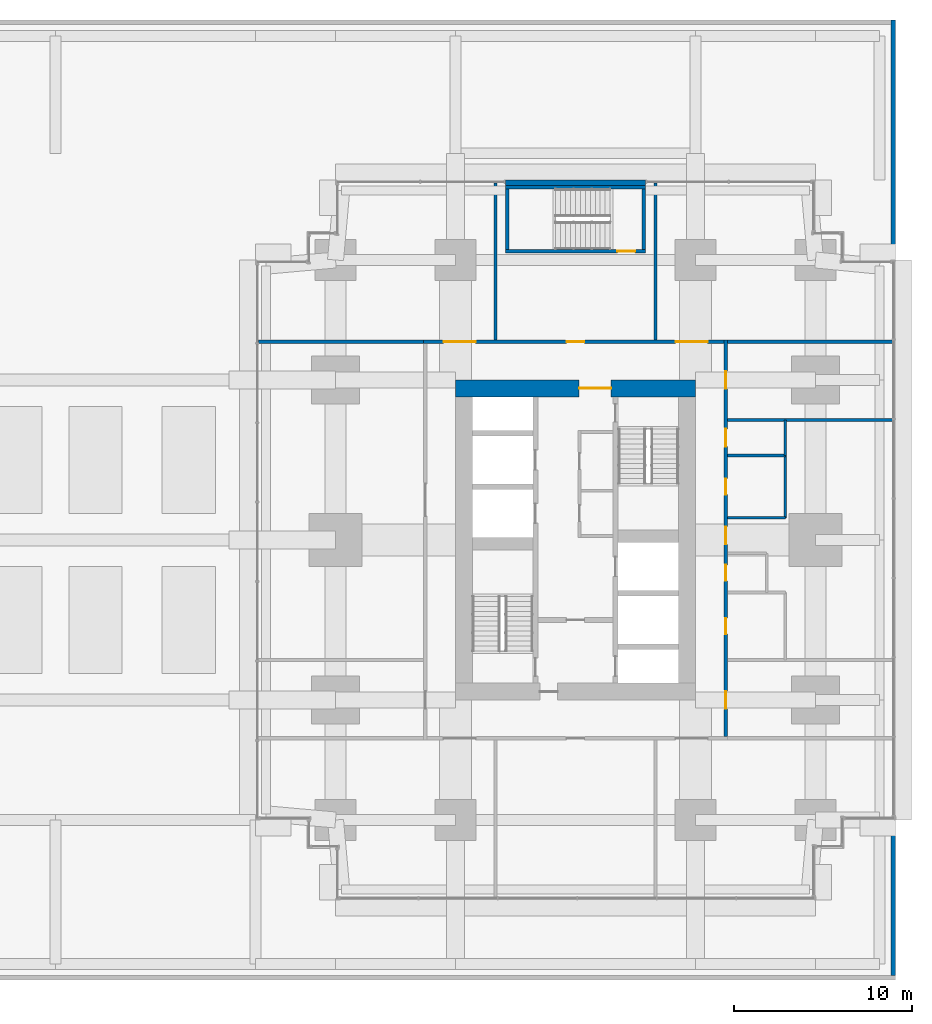
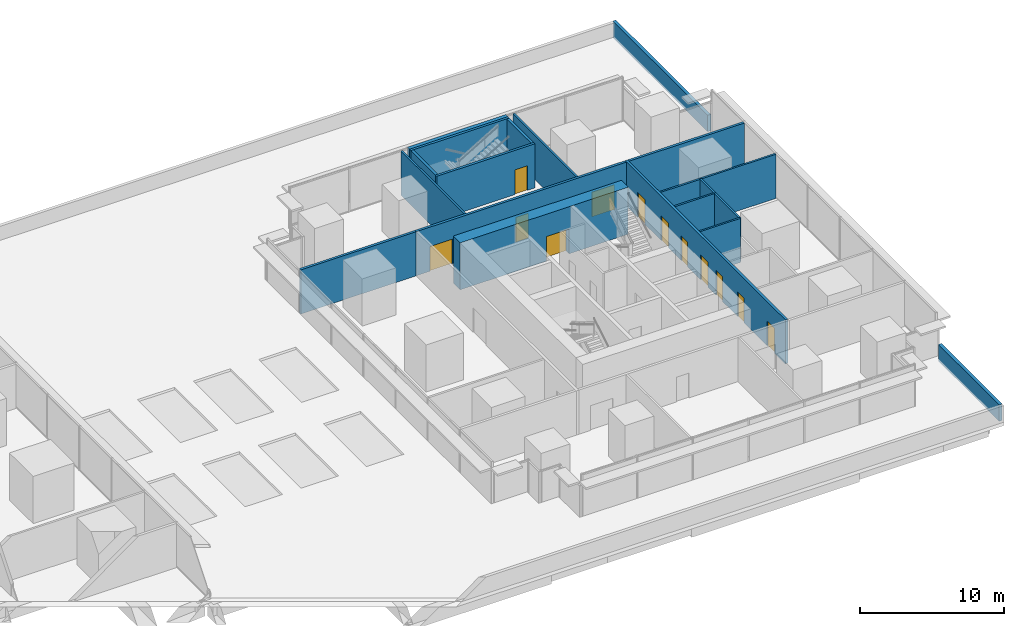
# One storey, part 30 of 34: 19 walls, 12 doors, 12 openings.
"""IFC4 building model written with IfcOpenShell, lengths in metres."""

from ifc_helpers import new_model, si_unit, direction, frame, frame_2d, origin, place, context, subcontext, project, spatial, rectangle, extrude, material, layer, layer_set, type_object, element, fill, save


model = new_model("IFC4")

# Units and contexts
model_context = context("Model", 3, precision=1e-05, world=origin(), true_north=direction((0.0, 1.0)))
body_context = subcontext(model_context, "Body", "Model", "MODEL_VIEW")
ifc_project = project(units=[si_unit("LENGTHUNIT", "METRE"), si_unit("AREAUNIT", "SQUARE_METRE"), si_unit("VOLUMEUNIT", "CUBIC_METRE"), si_unit("PLANEANGLEUNIT", "RADIAN"), si_unit("MASSUNIT", "GRAM", prefix="KILO")], contexts=[model_context])

# Site, building, storey
site_placement = place(None, origin())
site = spatial("IfcSite", under=ifc_project, at=site_placement, CompositionType="ELEMENT")
building_placement = place(site_placement, origin())
building = spatial("IfcBuilding", under=site, at=building_placement, Name="Namib Vertical Campus", CompositionType="ELEMENT")
storey_placement = place(building_placement, frame((0.0, 0.0, 21.0)))
storey = spatial("IfcBuildingStorey", under=building, at=storey_placement, Name="L04", CompositionType="ELEMENT", Elevation=21.0)

# Wall, opening, door
ifc_material_1 = material(Name="Concrete C60/75", Category="concrete")
ifc_layer_1 = layer(ifc_material_1, 0.949951171875)
ifc_layer_set_1 = layer_set([ifc_layer_1], Name="Concrete C60/75")
wall_type_1 = type_object("IfcWallType", Name="Core wall 950", PredefinedType="SHEAR", material=ifc_layer_set_1)
wall_1_placement = place(storey_placement, frame((87.75, 28.77490234375, 0.0), z_axis=(0.0, 0.0, 1.0), x_axis=(-1.0, 0.0, 0.0)))
wall_1 = element("IfcWall", 1, at=wall_1_placement, inside=storey, type_object=wall_type_1, Name="Core wall B L04 3", PredefinedType="SHEAR", context=body_context, shape_type="SweptSolid", body=[
    extrude(rectangle(XDim=13.5, YDim=0.949951171875, at=frame_2d((6.75, 0.0))), origin(), (0.0, 0.0, 1.0), 4.0),
])
opening_1_placement = place(wall_1_placement, frame((4.75, 0.0, 0.0)))
opening_1 = element("IfcOpeningElement", 2, at=opening_1_placement, cuts=wall_1, Name="Opening FD2", PredefinedType="OPENING", context=body_context, shape_type="SweptSolid", body=[
    extrude(rectangle(XDim=1.800048828125, YDim=2.10009765625, at=frame_2d((0.89990234375, 1.050048828125))), frame((0.0, 0.48486328125, 0.0), z_axis=(0.0, -1.0, 0.0), x_axis=(1.0, 0.0, 0.0)), (0.0, 0.0, 1.0), 0.969970703125),
])
ifc_material_2 = material(Name="Steel fire door", Category="steel")
door_type_1 = type_object("IfcDoorType", Name="Fire door double 1800x2100", OperationType="DOUBLE_DOOR_SINGLE_SWING", PredefinedType="DOOR", material=ifc_material_2)
door_1_placement = place(opening_1_placement, origin())
door_1 = element("IfcDoor", 3, at=door_1_placement, inside=storey, type_object=door_type_1, Name="Lift lobby door FD2 B L04", OperationType="DOUBLE_DOOR_SINGLE_SWING", OverallHeight=2.10009765625, OverallWidth=1.800048828125, PredefinedType="DOOR", context=body_context, shape_type="SweptSolid", body=[
    extrude(rectangle(XDim=1.800048828125, YDim=2.10009765625, at=frame_2d((0.89990234375, 1.050048828125))), frame((0.0, 0.02490234375, 0.0), z_axis=(0.0, -1.0, 0.0), x_axis=(1.0, 0.0, 0.0)), (0.0, 0.0, 1.0), 0.050048828125),
])
fill(opening_1, door_1)

# Wall, openings, doors
ifc_material_3 = material(Name="Concrete masonry", Category="masonry")
ifc_layer_2 = layer(ifc_material_3, 0.199951171875)
ifc_layer_set_2 = layer_set([ifc_layer_2], Name="Corridor wall 200")
wall_type_2 = type_object("IfcWallType", Name="Corridor wall 200", PredefinedType="SOLIDWALL", material=ifc_layer_set_2)
wall_2_placement = place(storey_placement, frame((89.449951171875, 9.199951171875, 0.0), z_axis=(0.0, 0.0, 1.0), x_axis=(0.0, 1.0, 0.0)))
wall_2 = element("IfcWall", 4, at=wall_2_placement, inside=storey, type_object=wall_type_2, Name="Corridor wall B L04 CE", PredefinedType="SOLIDWALL", context=body_context, shape_type="SweptSolid", body=[
    extrude(rectangle(XDim=22.300048828125, YDim=0.199951171875, at=frame_2d((11.14990234375, 0.0))), origin(), (0.0, 0.0, 1.0), 3.75),
])
opening_2_placement = place(wall_2_placement, frame((1.550048828125, 0.0, 0.0)))
opening_2 = element("IfcOpeningElement", 5, at=opening_2_placement, cuts=wall_2, Name="Opening CD1", PredefinedType="OPENING", context=body_context, shape_type="SweptSolid", body=[
    extrude(rectangle(XDim=1.0, YDim=2.10009765625, at=frame_2d((0.5, 1.050048828125))), frame((0.0, 0.10986328125, 0.0), z_axis=(0.0, -1.0, 0.0), x_axis=(1.0, 0.0, 0.0)), (0.0, 0.0, 1.0), 0.219970703125),
])
opening_3_placement = place(wall_2_placement, frame((5.75, 0.0, 0.0)))
opening_3 = element("IfcOpeningElement", 6, at=opening_3_placement, cuts=wall_2, Name="Opening CD3", PredefinedType="OPENING", context=body_context, shape_type="SweptSolid", body=[
    extrude(rectangle(XDim=0.89990234375, YDim=2.10009765625, at=frame_2d((0.449951171875, 1.050048828125))), frame((0.0, 0.10986328125, 0.0), z_axis=(0.0, -1.0, 0.0), x_axis=(1.0, 0.0, 0.0)), (0.0, 0.0, 1.0), 0.219970703125),
])
opening_4_placement = place(wall_2_placement, frame((8.75, 0.0, 0.0)))
opening_4 = element("IfcOpeningElement", 7, at=opening_4_placement, cuts=wall_2, Name="Opening CD3", PredefinedType="OPENING", context=body_context, shape_type="SweptSolid", body=[
    extrude(rectangle(XDim=0.89990234375, YDim=2.10009765625, at=frame_2d((0.449951171875, 1.050048828125))), frame((0.0, 0.10986328125, 0.0), z_axis=(0.0, -1.0, 0.0), x_axis=(1.0, 0.0, 0.0)), (0.0, 0.0, 1.0), 0.219970703125),
])
opening_5_placement = place(wall_2_placement, frame((13.60009765625, 0.0, 0.0)))
opening_5 = element("IfcOpeningElement", 8, at=opening_5_placement, cuts=wall_2, Name="Opening CD3", PredefinedType="OPENING", context=body_context, shape_type="SweptSolid", body=[
    extrude(rectangle(XDim=0.89990234375, YDim=2.10009765625, at=frame_2d((0.449951171875, 1.050048828125))), frame((0.0, 0.10986328125, 0.0), z_axis=(0.0, -1.0, 0.0), x_axis=(1.0, 0.0, 0.0)), (0.0, 0.0, 1.0), 0.219970703125),
])
opening_6_placement = place(wall_2_placement, frame((16.300048828125, 0.0, 0.0)))
opening_6 = element("IfcOpeningElement", 9, at=opening_6_placement, cuts=wall_2, Name="Opening CD1", PredefinedType="OPENING", context=body_context, shape_type="SweptSolid", body=[
    extrude(rectangle(XDim=1.0, YDim=2.10009765625, at=frame_2d((0.5, 1.050048828125))), frame((0.0, 0.10986328125, 0.0), z_axis=(0.0, -1.0, 0.0), x_axis=(1.0, 0.0, 0.0)), (0.0, 0.0, 1.0), 0.219970703125),
])
opening_7_placement = place(wall_2_placement, frame((10.800048828125, 0.0, 0.0)))
opening_7 = element("IfcOpeningElement", 10, at=opening_7_placement, cuts=wall_2, Name="Opening CD1", PredefinedType="OPENING", context=body_context, shape_type="SweptSolid", body=[
    extrude(rectangle(XDim=1.0, YDim=2.10009765625, at=frame_2d((0.5, 1.050048828125))), frame((0.0, 0.10986328125, 0.0), z_axis=(0.0, -1.0, 0.0), x_axis=(1.0, 0.0, 0.0)), (0.0, 0.0, 1.0), 0.219970703125),
])
opening_8_placement = place(wall_2_placement, frame((19.550048828125, 0.0, 0.0)))
opening_8 = element("IfcOpeningElement", 11, at=opening_8_placement, cuts=wall_2, Name="Opening CD1", PredefinedType="OPENING", context=body_context, shape_type="SweptSolid", body=[
    extrude(rectangle(XDim=1.0, YDim=2.10009765625, at=frame_2d((0.5, 1.050048828125))), frame((0.0, 0.10986328125, 0.0), z_axis=(0.0, -1.0, 0.0), x_axis=(1.0, 0.0, 0.0)), (0.0, 0.0, 1.0), 0.219970703125),
])
ifc_material_4 = material(Name="Timber fire door leaf", Category="wood")
door_type_2 = type_object("IfcDoorType", Name="Corridor door 1000x2100 20 min", OperationType="SINGLE_SWING_LEFT", PredefinedType="DOOR", material=ifc_material_4)
door_2_placement = place(opening_2_placement, frame((1.0, 0.0, 0.0), z_axis=(0.0, 0.0, 1.0), x_axis=(-1.0, 0.0, 0.0)))
door_2 = element("IfcDoor", 12, at=door_2_placement, inside=storey, type_object=door_type_2, Name="Door CD1 B04-04", OperationType="SINGLE_SWING_RIGHT", OverallHeight=2.10009765625, OverallWidth=1.0, PredefinedType="DOOR", context=body_context, shape_type="SweptSolid", body=[
    extrude(rectangle(XDim=1.0, YDim=2.10009765625, at=frame_2d((0.5, 1.050048828125))), frame((0.0, 0.02490234375, 0.0), z_axis=(0.0, -1.0, 0.0), x_axis=(1.0, 0.0, 0.0)), (0.0, 0.0, 1.0), 0.050048828125),
])
fill(opening_2, door_2)
door_3_placement = place(opening_6_placement, frame((1.0, 0.0, 0.0), z_axis=(0.0, 0.0, 1.0), x_axis=(-1.0, 0.0, 0.0)))
door_3 = element("IfcDoor", 13, at=door_3_placement, inside=storey, type_object=door_type_2, Name="Door CD1 B04-08", OperationType="SINGLE_SWING_RIGHT", OverallHeight=2.10009765625, OverallWidth=1.0, PredefinedType="DOOR", context=body_context, shape_type="SweptSolid", body=[
    extrude(rectangle(XDim=1.0, YDim=2.10009765625, at=frame_2d((0.5, 1.050048828125))), frame((0.0, 0.02490234375, 0.0), z_axis=(0.0, -1.0, 0.0), x_axis=(1.0, 0.0, 0.0)), (0.0, 0.0, 1.0), 0.050048828125),
])
fill(opening_6, door_3)
door_4_placement = place(opening_7_placement, frame((1.0, 0.0, 0.0), z_axis=(0.0, 0.0, 1.0), x_axis=(-1.0, 0.0, 0.0)))
door_4 = element("IfcDoor", 14, at=door_4_placement, inside=storey, type_object=door_type_2, Name="Door CD1 B04-09", OperationType="SINGLE_SWING_RIGHT", OverallHeight=2.10009765625, OverallWidth=1.0, PredefinedType="DOOR", context=body_context, shape_type="SweptSolid", body=[
    extrude(rectangle(XDim=1.0, YDim=2.10009765625, at=frame_2d((0.5, 1.050048828125))), frame((0.0, 0.02490234375, 0.0), z_axis=(0.0, -1.0, 0.0), x_axis=(1.0, 0.0, 0.0)), (0.0, 0.0, 1.0), 0.050048828125),
])
fill(opening_7, door_4)
door_5_placement = place(opening_8_placement, frame((1.0, 0.0, 0.0), z_axis=(0.0, 0.0, 1.0), x_axis=(-1.0, 0.0, 0.0)))
door_5 = element("IfcDoor", 15, at=door_5_placement, inside=storey, type_object=door_type_2, Name="Door CD1 B04-10", OperationType="SINGLE_SWING_RIGHT", OverallHeight=2.10009765625, OverallWidth=1.0, PredefinedType="DOOR", context=body_context, shape_type="SweptSolid", body=[
    extrude(rectangle(XDim=1.0, YDim=2.10009765625, at=frame_2d((0.5, 1.050048828125))), frame((0.0, 0.02490234375, 0.0), z_axis=(0.0, -1.0, 0.0), x_axis=(1.0, 0.0, 0.0)), (0.0, 0.0, 1.0), 0.050048828125),
])
fill(opening_8, door_5)
ifc_material_5 = material(Name="Timber fire door leaf", Category="wood")
door_type_3 = type_object("IfcDoorType", Name="Corridor toilet door 900x2100 20 min", OperationType="SINGLE_SWING_LEFT", PredefinedType="DOOR", material=ifc_material_5)
door_6_placement = place(opening_3_placement, frame((0.89990234375, 0.0, 0.0), z_axis=(0.0, 0.0, 1.0), x_axis=(-1.0, 0.0, 0.0)))
door_6 = element("IfcDoor", 16, at=door_6_placement, inside=storey, type_object=door_type_3, Name="Door CD3 B04-05", OperationType="SINGLE_SWING_RIGHT", OverallHeight=2.10009765625, OverallWidth=0.89990234375, PredefinedType="DOOR", context=body_context, shape_type="SweptSolid", body=[
    extrude(rectangle(XDim=0.89990234375, YDim=2.10009765625, at=frame_2d((0.449951171875, 1.050048828125))), frame((0.0, 0.02490234375, 0.0), z_axis=(0.0, -1.0, 0.0), x_axis=(1.0, 0.0, 0.0)), (0.0, 0.0, 1.0), 0.050048828125),
])
fill(opening_3, door_6)
door_7_placement = place(opening_4_placement, frame((0.89990234375, 0.0, 0.0), z_axis=(0.0, 0.0, 1.0), x_axis=(-1.0, 0.0, 0.0)))
door_7 = element("IfcDoor", 17, at=door_7_placement, inside=storey, type_object=door_type_3, Name="Door CD3 B04-06", OperationType="SINGLE_SWING_RIGHT", OverallHeight=2.10009765625, OverallWidth=0.89990234375, PredefinedType="DOOR", context=body_context, shape_type="SweptSolid", body=[
    extrude(rectangle(XDim=0.89990234375, YDim=2.10009765625, at=frame_2d((0.449951171875, 1.050048828125))), frame((0.0, 0.02490234375, 0.0), z_axis=(0.0, -1.0, 0.0), x_axis=(1.0, 0.0, 0.0)), (0.0, 0.0, 1.0), 0.050048828125),
])
fill(opening_4, door_7)
door_8_placement = place(opening_5_placement, frame((0.89990234375, 0.0, 0.0), z_axis=(0.0, 0.0, 1.0), x_axis=(-1.0, 0.0, 0.0)))
door_8 = element("IfcDoor", 18, at=door_8_placement, inside=storey, type_object=door_type_3, Name="Door CD3 B04-07", OperationType="SINGLE_SWING_RIGHT", OverallHeight=2.10009765625, OverallWidth=0.89990234375, PredefinedType="DOOR", context=body_context, shape_type="SweptSolid", body=[
    extrude(rectangle(XDim=0.89990234375, YDim=2.10009765625, at=frame_2d((0.449951171875, 1.050048828125))), frame((0.0, 0.02490234375, 0.0), z_axis=(0.0, -1.0, 0.0), x_axis=(1.0, 0.0, 0.0)), (0.0, 0.0, 1.0), 0.050048828125),
])
fill(opening_5, door_8)

wall_3_placement = place(storey_placement, frame((89.35009765625, 31.39990234375, 0.0), z_axis=(0.0, 0.0, 1.0), x_axis=(-1.0, 0.0, 0.0)))
wall_3 = element("IfcWall", 19, at=wall_3_placement, inside=storey, type_object=wall_type_2, Name="Corridor wall B L04 CN", PredefinedType="SOLIDWALL", context=body_context, shape_type="SweptSolid", body=[
    extrude(rectangle(XDim=16.900146484375, YDim=0.199951171875, at=frame_2d((8.4501953125, 0.0))), origin(), (0.0, 0.0, 1.0), 3.75),
])
opening_9_placement = place(wall_3_placement, frame((13.97509765625, 0.0, 0.0)))
opening_9 = element("IfcOpeningElement", 20, at=opening_9_placement, cuts=wall_3, Name="Opening CD2", PredefinedType="OPENING", context=body_context, shape_type="SweptSolid", body=[
    extrude(rectangle(XDim=1.800048828125, YDim=2.10009765625, at=frame_2d((0.89990234375, 1.050048828125))), frame((0.0, 0.10986328125, 0.0), z_axis=(0.0, -1.0, 0.0), x_axis=(1.0, 0.0, 0.0)), (0.0, 0.0, 1.0), 0.219970703125),
])
opening_10_placement = place(wall_3_placement, frame((7.85009765625, 0.0, 0.0)))
opening_10 = element("IfcOpeningElement", 21, at=opening_10_placement, cuts=wall_3, Name="Opening CD1", PredefinedType="OPENING", context=body_context, shape_type="SweptSolid", body=[
    extrude(rectangle(XDim=1.0, YDim=2.10009765625, at=frame_2d((0.5, 1.050048828125))), frame((0.0, 0.10986328125, 0.0), z_axis=(0.0, -1.0, 0.0), x_axis=(1.0, 0.0, 0.0)), (0.0, 0.0, 1.0), 0.219970703125),
])
opening_11_placement = place(wall_3_placement, frame((0.925048828125, 0.0, 0.0)))
opening_11 = element("IfcOpeningElement", 22, at=opening_11_placement, cuts=wall_3, Name="Opening CD2", PredefinedType="OPENING", context=body_context, shape_type="SweptSolid", body=[
    extrude(rectangle(XDim=1.800048828125, YDim=2.10009765625, at=frame_2d((0.89990234375, 1.050048828125))), frame((0.0, 0.10986328125, 0.0), z_axis=(0.0, -1.0, 0.0), x_axis=(1.0, 0.0, 0.0)), (0.0, 0.0, 1.0), 0.219970703125),
])
door_9_placement = place(opening_10_placement, frame((1.0, 0.0, 0.0), z_axis=(0.0, 0.0, 1.0), x_axis=(-1.0, 0.0, 0.0)))
door_9 = element("IfcDoor", 23, at=door_9_placement, inside=storey, type_object=door_type_2, Name="Door CD1 B04-12", OperationType="SINGLE_SWING_RIGHT", OverallHeight=2.10009765625, OverallWidth=1.0, PredefinedType="DOOR", context=body_context, shape_type="SweptSolid", body=[
    extrude(rectangle(XDim=1.0, YDim=2.10009765625, at=frame_2d((0.5, 1.050048828125))), frame((0.0, 0.02490234375, 0.0), z_axis=(0.0, -1.0, 0.0), x_axis=(1.0, 0.0, 0.0)), (0.0, 0.0, 1.0), 0.050048828125),
])
fill(opening_10, door_9)
ifc_material_6 = material(Name="Timber fire door leaf", Category="wood")
door_type_4 = type_object("IfcDoorType", Name="Corridor door double 1800x2100 20 min", OperationType="DOUBLE_DOOR_SINGLE_SWING", PredefinedType="DOOR", material=ifc_material_6)
door_10_placement = place(opening_9_placement, frame((1.800048828125, 0.0, 0.0), z_axis=(0.0, 0.0, 1.0), x_axis=(-1.0, 0.0, 0.0)))
door_10 = element("IfcDoor", 24, at=door_10_placement, inside=storey, type_object=door_type_4, Name="Door CD2 B04-11", OperationType="DOUBLE_DOOR_SINGLE_SWING", OverallHeight=2.10009765625, OverallWidth=1.800048828125, PredefinedType="DOOR", context=body_context, shape_type="SweptSolid", body=[
    extrude(rectangle(XDim=1.800048828125, YDim=2.10009765625, at=frame_2d((0.89990234375, 1.050048828125))), frame((0.0, 0.02490234375, 0.0), z_axis=(0.0, -1.0, 0.0), x_axis=(1.0, 0.0, 0.0)), (0.0, 0.0, 1.0), 0.050048828125),
])
fill(opening_9, door_10)
door_11_placement = place(opening_11_placement, frame((1.800048828125, 0.0, 0.0), z_axis=(0.0, 0.0, 1.0), x_axis=(-1.0, 0.0, 0.0)))
door_11 = element("IfcDoor", 25, at=door_11_placement, inside=storey, type_object=door_type_4, Name="Door CD2 B04-13", OperationType="DOUBLE_DOOR_SINGLE_SWING", OverallHeight=2.10009765625, OverallWidth=1.800048828125, PredefinedType="DOOR", context=body_context, shape_type="SweptSolid", body=[
    extrude(rectangle(XDim=1.800048828125, YDim=2.10009765625, at=frame_2d((0.89990234375, 1.050048828125))), frame((0.0, 0.02490234375, 0.0), z_axis=(0.0, -1.0, 0.0), x_axis=(1.0, 0.0, 0.0)), (0.0, 0.0, 1.0), 0.050048828125),
])
fill(opening_11, door_11)

# Walls
for number, where, z_axis, x_axis, name in (
    (26, (63.179931640625, 31.39990234375, 0.0), (0.0, 0.0, 1.0), (1.0, 0.0, 0.0), "Partition B L04 BNW"),
    (27, (89.550048828125, 31.39990234375, 0.0), (0.0, 0.0, 1.0), (1.0, 0.0, 0.0), "Partition B L04 BNE"),
):
    element("IfcWall", number, at=place(storey_placement, frame(where, z_axis=z_axis, x_axis=x_axis)), inside=storey, type_object=wall_type_2, Name=name, PredefinedType="SOLIDWALL", context=body_context, shape_type="SweptSolid", body=[
        extrude(rectangle(XDim=9.27001953125, YDim=0.199951171875, at=frame_2d((4.635009765625, 0.0))), origin(), (0.0, 0.0, 1.0), 3.75),
    ])
ifc_material_7 = material(Name="Concrete C40/50", Category="concrete")
ifc_layer_3 = layer(ifc_material_7, 0.300048828125)
ifc_layer_set_3 = layer_set([ifc_layer_3], Name="Concrete C40/50")
wall_type_3 = type_object("IfcWallType", Name="External wall 300 board-marked concrete", PredefinedType="STANDARD", material=ifc_layer_set_3)
wall_4_placement = place(storey_placement, frame((84.949951171875, 40.35009765625, 0.0), z_axis=(0.0, 0.0, 1.0), x_axis=(-1.0, 0.0, 0.0)))
element("IfcWall", 28, at=wall_4_placement, inside=storey, type_object=wall_type_3, Name="External wall L04 F11 exit stair panel", PredefinedType="STANDARD", context=body_context, shape_type="SweptSolid", body=[
    extrude(rectangle(XDim=7.89990234375, YDim=0.300048828125, at=frame_2d((3.949951171875, 0.0))), origin(), (0.0, 0.0, 1.0), 3.75),
])
ifc_material_8 = material(Name="Concrete C40/50", Category="concrete")
ifc_layer_4 = layer(ifc_material_8, 0.25)
ifc_layer_set_4 = layer_set([ifc_layer_4], Name="Concrete C40/50")
wall_type_4 = type_object("IfcWallType", Name="Parapet wall 250", PredefinedType="PARAPET", material=ifc_layer_set_4)
wall_5_placement = place(storey_placement, frame((98.875, -4.25, 0.0), z_axis=(0.0, 0.0, 1.0), x_axis=(0.0, 1.0, 0.0)))
element("IfcWall", 29, at=wall_5_placement, inside=storey, type_object=wall_type_4, Name="Parapet PW1 podium 2-1", PredefinedType="PARAPET", context=body_context, shape_type="SweptSolid", body=[
    extrude(rectangle(XDim=8.449951171875, YDim=0.25, at=frame_2d((4.22509765625, 0.0))), origin(), (0.0, 0.0, 1.0), 1.39990234375),
])
wall_6_placement = place(storey_placement, frame((98.875, 36.300048828125, 0.0), z_axis=(0.0, 0.0, 1.0), x_axis=(0.0, 1.0, 0.0)))
element("IfcWall", 30, at=wall_6_placement, inside=storey, type_object=wall_type_4, Name="Parapet PW1 podium 2-2", PredefinedType="PARAPET", context=body_context, shape_type="SweptSolid", body=[
    extrude(rectangle(XDim=13.199951171875, YDim=0.25, at=frame_2d((6.60009765625, 0.0))), origin(), (0.0, 0.0, 1.0), 1.39990234375),
])
ifc_material_9 = material(Name="Gypsum board on steel studs", Category="steel")
ifc_layer_5 = layer(ifc_material_9, 0.14990234375)
ifc_layer_set_5 = layer_set([ifc_layer_5], Name="Gypsum board on steel studs")
wall_type_5 = type_object("IfcWallType", Name="Partition 150", PredefinedType="PARTITIONING", material=ifc_layer_set_5)
for number, where, z_axis, x_axis, name in (
    (31, (76.5, 31.5, 0.0), (0.0, 0.0, 1.0), (0.0, 1.0, 0.0), "Partition B L04 PN1"),
    (32, (85.5, 31.5, 0.0), (0.0, 0.0, 1.0), (0.0, 1.0, 0.0), "Partition B L04 PN2"),
):
    element("IfcWall", number, at=place(storey_placement, frame(where, z_axis=z_axis, x_axis=x_axis)), inside=storey, type_object=wall_type_5, Name=name, PredefinedType="PARTITIONING", context=body_context, shape_type="SweptSolid", body=[
        extrude(rectangle(XDim=8.820068359375, YDim=0.14990234375, at=frame_2d((4.41015625, 0.0))), origin(), (0.0, 0.0, 1.0), 3.75),
    ])
wall_7_placement = place(storey_placement, frame((89.550048828125, 27.0, 0.0), z_axis=(0.0, 0.0, 1.0), x_axis=(1.0, 0.0, 0.0)))
element("IfcWall", 33, at=wall_7_placement, inside=storey, type_object=wall_type_5, Name="Partition B L04 PE2", PredefinedType="PARTITIONING", context=body_context, shape_type="SweptSolid", body=[
    extrude(rectangle(XDim=9.27001953125, YDim=0.14990234375, at=frame_2d((4.635009765625, 0.0))), origin(), (0.0, 0.0, 1.0), 3.75),
])
for number, where, z_axis, x_axis, name in (
    (34, (89.550048828125, 21.5, 0.0), (0.0, 0.0, 1.0), (1.0, 0.0, 0.0), "Partition B L04 WR3"),
    (35, (89.550048828125, 25.0, 0.0), (0.0, 0.0, 1.0), (1.0, 0.0, 0.0), "Partition B L04 WR4"),
):
    element("IfcWall", number, at=place(storey_placement, frame(where, z_axis=z_axis, x_axis=x_axis)), inside=storey, type_object=wall_type_5, Name=name, PredefinedType="PARTITIONING", context=body_context, shape_type="SweptSolid", body=[
        extrude(rectangle(XDim=3.25, YDim=0.14990234375, at=frame_2d((1.625, 0.0))), origin(), (0.0, 0.0, 1.0), 3.75),
    ])
wall_8_placement = place(storey_placement, frame((92.800048828125, 21.5, 0.0), z_axis=(0.0, 0.0, 1.0), x_axis=(0.0, 1.0, 0.0)))
element("IfcWall", 36, at=wall_8_placement, inside=storey, type_object=wall_type_5, Name="Partition B L04 WB3", PredefinedType="PARTITIONING", context=body_context, shape_type="SweptSolid", body=[
    extrude(rectangle(XDim=3.5, YDim=0.14990234375, at=frame_2d((1.75, 0.0))), origin(), (0.0, 0.0, 1.0), 3.75),
])
wall_9_placement = place(storey_placement, frame((92.800048828125, 25.0, 0.0), z_axis=(0.0, 0.0, 1.0), x_axis=(0.0, 1.0, 0.0)))
element("IfcWall", 37, at=wall_9_placement, inside=storey, type_object=wall_type_5, Name="Partition B L04 WB4", PredefinedType="PARTITIONING", context=body_context, shape_type="SweptSolid", body=[
    extrude(rectangle(XDim=2.0, YDim=0.14990234375, at=frame_2d((1.0, 0.0))), origin(), (0.0, 0.0, 1.0), 3.75),
])

# Wall, opening, door
ifc_material_10 = material(Name="Concrete C40/50", Category="concrete")
ifc_layer_6 = layer(ifc_material_10, 0.199951171875)
ifc_layer_set_6 = layer_set([ifc_layer_6], Name="Concrete C40/50")
wall_type_6 = type_object("IfcWallType", Name="Stair enclosure wall RC 200", PredefinedType="SOLIDWALL", material=ifc_layer_set_6)
wall_10_placement = place(storey_placement, frame((77.050048828125, 36.5, 0.0), z_axis=(0.0, 0.0, 1.0), x_axis=(1.0, 0.0, 0.0)))
wall_10 = element("IfcWall", 38, at=wall_10_placement, inside=storey, type_object=wall_type_6, Name="Stair enclosure wall B-S3 L04 S", PredefinedType="SOLIDWALL", context=body_context, shape_type="SweptSolid", body=[
    extrude(rectangle(XDim=7.89990234375, YDim=0.199951171875, at=frame_2d((3.949951171875, 0.0))), origin(), (0.0, 0.0, 1.0), 3.75),
])
opening_12_placement = place(wall_10_placement, frame((6.300048828125, 0.0, 0.0)))
opening_12 = element("IfcOpeningElement", 39, at=opening_12_placement, cuts=wall_10, Name="Opening FD1", PredefinedType="OPENING", context=body_context, shape_type="SweptSolid", body=[
    extrude(rectangle(XDim=1.0, YDim=2.10009765625, at=frame_2d((0.5, 1.050048828125))), frame((0.0, 0.10986328125, 0.0), z_axis=(0.0, -1.0, 0.0), x_axis=(1.0, 0.0, 0.0)), (0.0, 0.0, 1.0), 0.219970703125),
])
ifc_material_11 = material(Name="Steel fire door", Category="steel")
door_type_5 = type_object("IfcDoorType", Name="Fire door 1000x2100", OperationType="SINGLE_SWING_RIGHT", PredefinedType="DOOR", material=ifc_material_11)
door_12_placement = place(opening_12_placement, origin())
door_12 = element("IfcDoor", 40, at=door_12_placement, inside=storey, type_object=door_type_5, Name="Stair door FD1 B L04 S3", OperationType="SINGLE_SWING_RIGHT", OverallHeight=2.10009765625, OverallWidth=1.0, PredefinedType="DOOR", context=body_context, shape_type="SweptSolid", body=[
    extrude(rectangle(XDim=1.0, YDim=2.10009765625, at=frame_2d((0.5, 1.050048828125))), frame((0.0, 0.02490234375, 0.0), z_axis=(0.0, -1.0, 0.0), x_axis=(1.0, 0.0, 0.0)), (0.0, 0.0, 1.0), 0.050048828125),
])
fill(opening_12, door_12)

# Walls
wall_11_placement = place(storey_placement, frame((77.050048828125, 40.10009765625, 0.0), z_axis=(0.0, 0.0, 1.0), x_axis=(1.0, 0.0, 0.0)))
element("IfcWall", 41, at=wall_11_placement, inside=storey, type_object=wall_type_6, Name="Stair enclosure wall B-S3 L04 N", PredefinedType="SOLIDWALL", context=body_context, shape_type="SweptSolid", body=[
    extrude(rectangle(XDim=7.89990234375, YDim=0.199951171875, at=frame_2d((3.949951171875, 0.0))), origin(), (0.0, 0.0, 1.0), 3.75),
])
for number, where, z_axis, x_axis, name in (
    (42, (77.14990234375, 36.60009765625, 0.0), (0.0, 0.0, 1.0), (0.0, 1.0, 0.0), "Stair enclosure wall B-S3 L04 W"),
    (43, (84.85009765625, 36.60009765625, 0.0), (0.0, 0.0, 1.0), (0.0, 1.0, 0.0), "Stair enclosure wall B-S3 L04 E"),
):
    element("IfcWall", number, at=place(storey_placement, frame(where, z_axis=z_axis, x_axis=x_axis)), inside=storey, type_object=wall_type_6, Name=name, PredefinedType="SOLIDWALL", context=body_context, shape_type="SweptSolid", body=[
        extrude(rectangle(XDim=3.39990234375, YDim=0.199951171875, at=frame_2d((1.699951171875, 0.0))), origin(), (0.0, 0.0, 1.0), 3.75),
    ])

save(model, "model.ifc")
